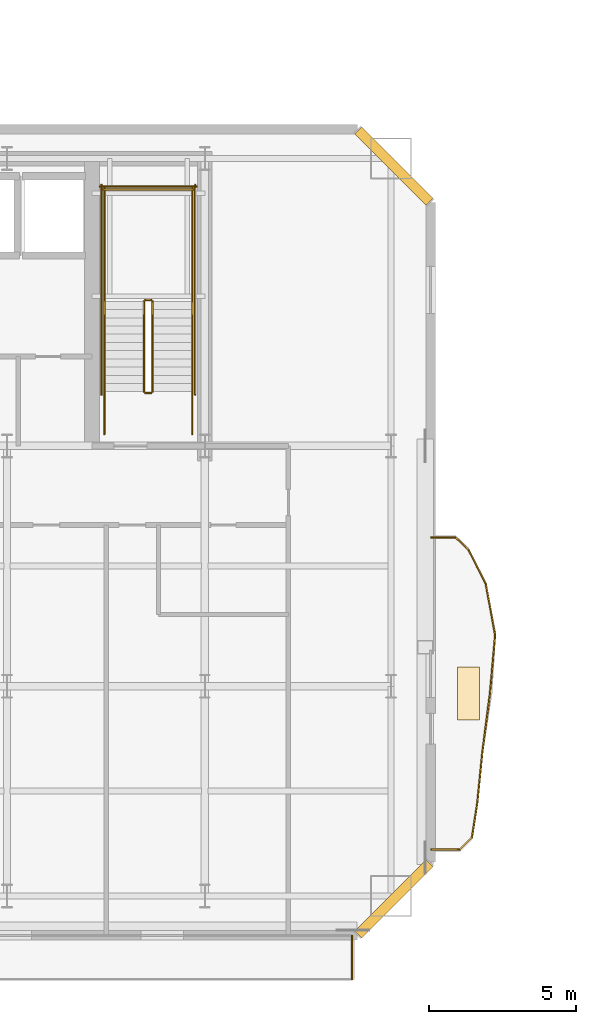
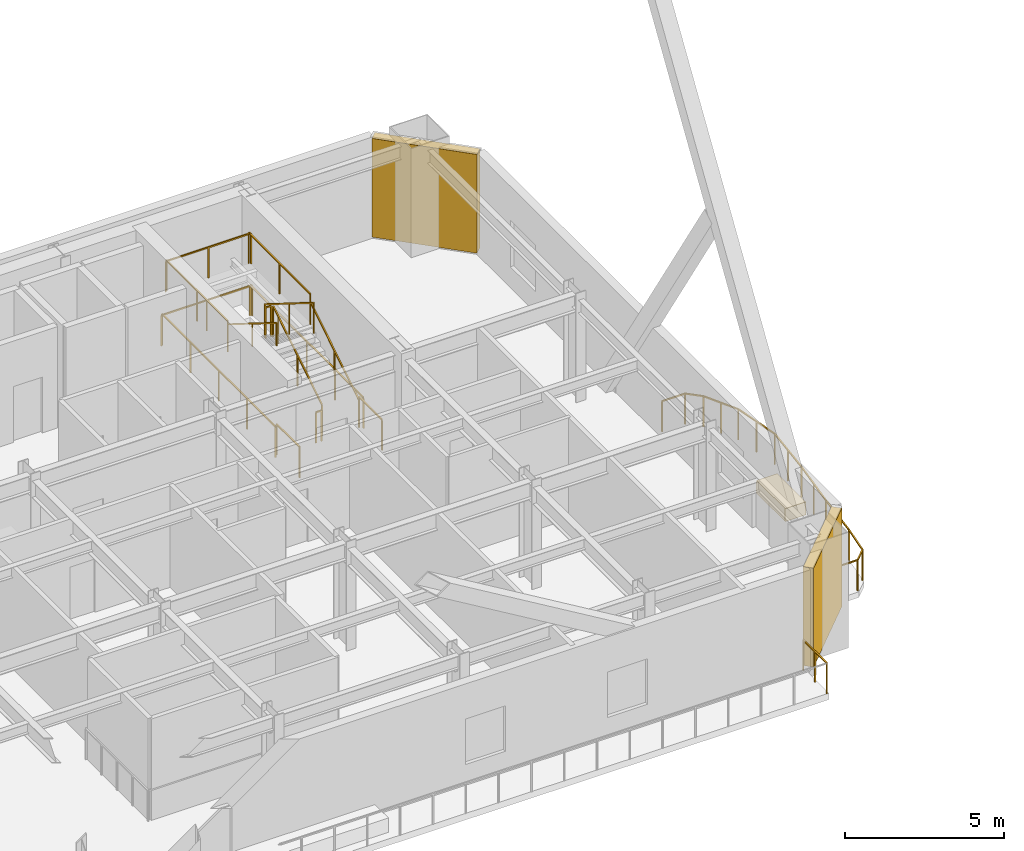
# One storey, part 19 of 22: 25 railings, 2 shading devices, 1 covering.
"""IFC4 building model written with IfcOpenShell, lengths in metres."""

from ifc_helpers import new_model, si_unit, direction, frame, origin, origin_2d, place, context, subcontext, project, spatial, rectangle, extrude, material, layer, layer_set, type_object, element, save


model = new_model("IFC4")

# Units and contexts
model_context = context("Model", 3, precision=1e-05, world=origin(), true_north=direction((0.0, 1.0)))
body_context = subcontext(model_context, "Body", "Model", "MODEL_VIEW")
ifc_project = project(units=[si_unit("LENGTHUNIT", "METRE"), si_unit("AREAUNIT", "SQUARE_METRE"), si_unit("VOLUMEUNIT", "CUBIC_METRE"), si_unit("PLANEANGLEUNIT", "RADIAN"), si_unit("MASSUNIT", "GRAM", prefix="KILO")], contexts=[model_context])

# Site, building, storey
site_placement = place(None, origin())
site = spatial("IfcSite", under=ifc_project, at=site_placement, CompositionType="ELEMENT")
building_placement = place(site_placement, origin())
building = spatial("IfcBuilding", under=site, at=building_placement, Name="Haevon Station Towers", CompositionType="ELEMENT")
storey_placement = place(building_placement, frame((0.0, 0.0, 133.800048828125)))
storey = spatial("IfcBuildingStorey", under=building, at=storey_placement, Name="L36", CompositionType="ELEMENT", Elevation=133.800048828125)

# Railings
ifc_material_1 = material(Name="Steel S355", Category="steel")
railing_type_1 = type_object("IfcRailingType", Name="GRD-EXT1200", PredefinedType="GUARDRAIL", material=ifc_material_1)
railing_1_placement = place(storey_placement, frame((56.02001953125, 20.003173828125, 0.0)))
element("IfcRailing", 1, at=railing_1_placement, inside=storey, type_object=railing_type_1, Name="L36 Perimeter Guardrail 2", PredefinedType="GUARDRAIL", context=body_context, shape_type="SweptSolid", body=[
    extrude(rectangle(XDim=0.048095703125, YDim=0.048095703125, at=origin_2d()), frame((0.0, 0.0, 1.17578125), z_axis=(0.0, 1.0, 0.0), x_axis=(-1.0, 0.0, 0.0)), (0.0, 0.0, 1.0), 1.488525390625),
    extrude(rectangle(XDim=0.0419921875, YDim=0.0419921875, at=origin_2d()), origin(), (0.0, 0.0, 1.0), 1.15185546875),
    extrude(rectangle(XDim=0.0419921875, YDim=0.0419921875, at=origin_2d()), frame((0.0, 0.744140625, 0.0)), (0.0, 0.0, 1.0), 1.15185546875),
    extrude(rectangle(XDim=0.0419921875, YDim=0.0419921875, at=origin_2d()), frame((0.0, 1.488525390625, 0.0)), (0.0, 0.0, 1.0), 1.15185546875),
])
railing_2_placement = place(storey_placement, frame((58.7236328125, 24.427734375, 0.0)))
element("IfcRailing", 2, at=railing_2_placement, inside=storey, type_object=railing_type_1, Name="L36 Perimeter Guardrail 1", PredefinedType="GUARDRAIL", context=body_context, shape_type="SweptSolid", body=[
    extrude(rectangle(XDim=0.048095703125, YDim=0.048095703125, at=origin_2d()), frame((0.0, 0.0, 1.17578125), z_axis=(0.999997457331, 0.002255068182, 0.0), x_axis=(-0.002255068182, 0.999997457331, 0.0)), (0.0, 0.0, 1.0), 0.974365234375),
    extrude(rectangle(XDim=0.0419921875, YDim=0.0419921875, at=origin_2d()), origin(), (0.0, 0.0, 1.0), 1.15185546875),
    extrude(rectangle(XDim=0.0419921875, YDim=0.0419921875, at=origin_2d()), frame((0.974365234375, 0.002197265625, 0.0)), (0.0, 0.0, 1.0), 1.15185546875),
])
railing_3_placement = place(storey_placement, frame((59.697998046875, 24.429931640625, 0.0)))
element("IfcRailing", 3, at=railing_3_placement, inside=storey, type_object=railing_type_1, Name="L36 Perimeter Guardrail 2", PredefinedType="GUARDRAIL", context=body_context, shape_type="SweptSolid", body=[
    extrude(rectangle(XDim=0.048095703125, YDim=0.048095703125, at=origin_2d()), frame((0.0, 0.0, 1.17578125), z_axis=(0.710855721551, 0.703337858456, 0.0), x_axis=(-0.703337858456, 0.710855721551, 0.0)), (0.0, 0.0, 1.0), 0.58447265625),
    extrude(rectangle(XDim=0.0419921875, YDim=0.0419921875, at=origin_2d()), origin(), (0.0, 0.0, 1.0), 1.15185546875),
    extrude(rectangle(XDim=0.0419921875, YDim=0.0419921875, at=origin_2d()), frame((0.41552734375, 0.4111328125, 0.0)), (0.0, 0.0, 1.0), 1.15185546875),
])
railing_4_placement = place(storey_placement, frame((60.113525390625, 24.841064453125, 0.0)))
element("IfcRailing", 4, at=railing_4_placement, inside=storey, type_object=railing_type_1, Name="L36 Perimeter Guardrail 3", PredefinedType="GUARDRAIL", context=body_context, shape_type="SweptSolid", body=[
    extrude(rectangle(XDim=0.048095703125, YDim=0.048095703125, at=origin_2d()), frame((0.0, 0.0, 1.17578125), z_axis=(0.151545873125, 0.988450225524, 0.0), x_axis=(-0.988450225524, 0.151545873125, 0.0)), (0.0, 0.0, 1.0), 1.18408203125),
    extrude(rectangle(XDim=0.0419921875, YDim=0.0419921875, at=origin_2d()), origin(), (0.0, 0.0, 1.0), 1.15185546875),
    extrude(rectangle(XDim=0.0419921875, YDim=0.0419921875, at=origin_2d()), frame((0.179443359375, 1.17041015625, 0.0)), (0.0, 0.0, 1.0), 1.15185546875),
])
railing_5_placement = place(storey_placement, frame((60.29296875, 26.011474609375, 0.0)))
element("IfcRailing", 5, at=railing_5_placement, inside=storey, type_object=railing_type_1, Name="L36 Perimeter Guardrail 4", PredefinedType="GUARDRAIL", context=body_context, shape_type="SweptSolid", body=[
    extrude(rectangle(XDim=0.048095703125, YDim=0.048095703125, at=origin_2d()), frame((0.0, 0.0, 1.17578125), z_axis=(0.100369612016, 0.994950220355, 0.0), x_axis=(-0.994950220355, 0.100369612016, 0.0)), (0.0, 0.0, 1.0), 1.758544921875),
    extrude(rectangle(XDim=0.0419921875, YDim=0.0419921875, at=origin_2d()), origin(), (0.0, 0.0, 1.0), 1.15185546875),
    extrude(rectangle(XDim=0.0419921875, YDim=0.0419921875, at=origin_2d()), frame((0.08837890625, 0.875, 0.0)), (0.0, 0.0, 1.0), 1.15185546875),
    extrude(rectangle(XDim=0.0419921875, YDim=0.0419921875, at=origin_2d()), frame((0.176513671875, 1.749755859375, 0.0)), (0.0, 0.0, 1.0), 1.15185546875),
])
railing_6_placement = place(storey_placement, frame((60.469482421875, 27.76123046875, 0.0)))
element("IfcRailing", 6, at=railing_6_placement, inside=storey, type_object=railing_type_1, Name="L36 Perimeter Guardrail 5", PredefinedType="GUARDRAIL", context=body_context, shape_type="SweptSolid", body=[
    extrude(rectangle(XDim=0.048095703125, YDim=0.048095703125, at=origin_2d()), frame((0.0, 0.0, 1.17578125), z_axis=(0.127480675673, 0.991841054469, 0.0), x_axis=(-0.991841054469, 0.127480675673, 0.0)), (0.0, 0.0, 1.0), 2.005126953125),
    extrude(rectangle(XDim=0.0419921875, YDim=0.0419921875, at=origin_2d()), origin(), (0.0, 0.0, 1.0), 1.15185546875),
    extrude(rectangle(XDim=0.0419921875, YDim=0.0419921875, at=origin_2d()), frame((0.1279296875, 0.994384765625, 0.0)), (0.0, 0.0, 1.0), 1.15185546875),
    extrude(rectangle(XDim=0.0419921875, YDim=0.0419921875, at=origin_2d()), frame((0.255615234375, 1.98876953125, 0.0)), (0.0, 0.0, 1.0), 1.15185546875),
])
railing_7_placement = place(storey_placement, frame((60.72509765625, 29.75, 0.0)))
element("IfcRailing", 7, at=railing_7_placement, inside=storey, type_object=railing_type_1, Name="L36 Perimeter Guardrail 6", PredefinedType="GUARDRAIL", context=body_context, shape_type="SweptSolid", body=[
    extrude(rectangle(XDim=0.048095703125, YDim=0.048095703125, at=origin_2d()), frame((0.0, 0.0, 1.17578125), z_axis=(0.088918972693, 0.996038862844, 0.0), x_axis=(-0.996038862844, 0.088918972693, 0.0)), (0.0, 0.0, 1.0), 2.00146484375),
    extrude(rectangle(XDim=0.0419921875, YDim=0.0419921875, at=origin_2d()), origin(), (0.0, 0.0, 1.0), 1.15185546875),
    extrude(rectangle(XDim=0.0419921875, YDim=0.0419921875, at=origin_2d()), frame((0.0888671875, 0.996826171875, 0.0)), (0.0, 0.0, 1.0), 1.15185546875),
    extrude(rectangle(XDim=0.0419921875, YDim=0.0419921875, at=origin_2d()), frame((0.177978515625, 1.99365234375, 0.0)), (0.0, 0.0, 1.0), 1.15185546875),
])
railing_8_placement = place(storey_placement, frame((60.903076171875, 31.74365234375, 0.0)))
element("IfcRailing", 8, at=railing_8_placement, inside=storey, type_object=railing_type_1, Name="L36 Perimeter Guardrail 7", PredefinedType="GUARDRAIL", context=body_context, shape_type="SweptSolid", body=[
    extrude(rectangle(XDim=0.048095703125, YDim=0.048095703125, at=origin_2d()), frame((0.0, 0.0, 1.17578125), z_axis=(-0.179418162839, 0.983772902068, 0.0), x_axis=(-0.983772902068, -0.179418162839, 0.0)), (0.0, 0.0, 1.0), 1.7744140625),
    extrude(rectangle(XDim=0.0419921875, YDim=0.0419921875, at=origin_2d()), origin(), (0.0, 0.0, 1.0), 1.15185546875),
    extrude(rectangle(XDim=0.0419921875, YDim=0.0419921875, at=origin_2d()), frame((-0.1591796875, 0.872802734375, 0.0)), (0.0, 0.0, 1.0), 1.15185546875),
    extrude(rectangle(XDim=0.0419921875, YDim=0.0419921875, at=origin_2d()), frame((-0.318359375, 1.74560546875, 0.0)), (0.0, 0.0, 1.0), 1.15185546875),
])
railing_9_placement = place(storey_placement, frame((60.584716796875, 33.4892578125, 0.0)))
element("IfcRailing", 9, at=railing_9_placement, inside=storey, type_object=railing_type_1, Name="L36 Perimeter Guardrail 8", PredefinedType="GUARDRAIL", context=body_context, shape_type="SweptSolid", body=[
    extrude(rectangle(XDim=0.048095703125, YDim=0.048095703125, at=origin_2d()), frame((0.0, 0.0, 1.17578125), z_axis=(-0.452787965093, 0.891618224728, 0.0), x_axis=(-0.891618224728, -0.452787965093, 0.0)), (0.0, 0.0, 1.0), 1.311767578125),
    extrude(rectangle(XDim=0.0419921875, YDim=0.0419921875, at=origin_2d()), origin(), (0.0, 0.0, 1.0), 1.15185546875),
    extrude(rectangle(XDim=0.0419921875, YDim=0.0419921875, at=origin_2d()), frame((-0.296875, 0.5849609375, 0.0)), (0.0, 0.0, 1.0), 1.15185546875),
    extrude(rectangle(XDim=0.0419921875, YDim=0.0419921875, at=origin_2d()), frame((-0.593994140625, 1.169677734375, 0.0)), (0.0, 0.0, 1.0), 1.15185546875),
])
railing_10_placement = place(storey_placement, frame((59.99072265625, 34.658935546875, 0.0)))
element("IfcRailing", 10, at=railing_10_placement, inside=storey, type_object=railing_type_1, Name="L36 Perimeter Guardrail 9", PredefinedType="GUARDRAIL", context=body_context, shape_type="SweptSolid", body=[
    extrude(rectangle(XDim=0.048095703125, YDim=0.048095703125, at=origin_2d()), frame((0.0, 0.0, 1.17578125), z_axis=(-0.721936917326, 0.691958876959, 0.0), x_axis=(-0.691958876959, -0.721936917326, 0.0)), (0.0, 0.0, 1.0), 0.594482421875),
    extrude(rectangle(XDim=0.0419921875, YDim=0.0419921875, at=origin_2d()), origin(), (0.0, 0.0, 1.0), 1.15185546875),
    extrude(rectangle(XDim=0.0419921875, YDim=0.0419921875, at=origin_2d()), frame((-0.42919921875, 0.411376953125, 0.0)), (0.0, 0.0, 1.0), 1.15185546875),
])
railing_11_placement = place(storey_placement, frame((59.5615234375, 35.0703125, 0.0)))
element("IfcRailing", 11, at=railing_11_placement, inside=storey, type_object=railing_type_1, Name="L36 Perimeter Guardrail 10", PredefinedType="GUARDRAIL", context=body_context, shape_type="SweptSolid", body=[
    extrude(rectangle(XDim=0.048095703125, YDim=0.048095703125, at=origin_2d()), frame((0.0, 0.0, 1.17578125), z_axis=(-0.999997283225, 0.002330995998, 0.0), x_axis=(-0.002330995998, -0.999997283225, 0.0)), (0.0, 0.0, 1.0), 0.837890625),
    extrude(rectangle(XDim=0.0419921875, YDim=0.0419921875, at=origin_2d()), origin(), (0.0, 0.0, 1.0), 1.15185546875),
    extrude(rectangle(XDim=0.0419921875, YDim=0.0419921875, at=origin_2d()), frame((-0.837890625, 0.001953125, 0.0)), (0.0, 0.0, 1.0), 1.15185546875),
])
railing_type_2 = type_object("IfcRailingType", Name="GRD-STR1200", PredefinedType="GUARDRAIL", material=ifc_material_1)
railing_12_placement = place(storey_placement, frame((49.219970703125, 40.050048828125, 0.175048828125)))
element("IfcRailing", 12, at=railing_12_placement, inside=storey, type_object=railing_type_2, Name="L36 ST2 Stair Guard 1", PredefinedType="GUARDRAIL", context=body_context, shape_type="SweptSolid", body=[
    extrude(rectangle(XDim=0.048095703125, YDim=0.048095703125, at=origin_2d()), frame((0.0, 0.0, 1.17578125), z_axis=(0.0, 0.848009633417, 0.529980812513), x_axis=(-1.0, 0.0, 0.0)), (0.0, 0.0, 1.0), 3.6318359375),
    extrude(rectangle(XDim=0.0419921875, YDim=0.0419921875, at=origin_2d()), origin(), (0.0, 0.0, 1.0), 1.15185546875),
    extrude(rectangle(XDim=0.0419921875, YDim=0.0419921875, at=origin_2d()), frame((0.0, 1.5400390625, 0.96240234375)), (0.0, 0.0, 1.0), 1.15185546875),
    extrude(rectangle(XDim=0.0419921875, YDim=0.0419921875, at=origin_2d()), frame((0.0, 3.079833984375, 1.9248046875)), (0.0, 0.0, 1.0), 1.15185546875),
])
railing_13_placement = place(storey_placement, frame((49.169921875, 43.179931640625, 2.099853515625)))
element("IfcRailing", 13, at=railing_13_placement, inside=storey, type_object=railing_type_2, Name="L36 ST2 Stair Guard 2", PredefinedType="GUARDRAIL", context=body_context, shape_type="SweptSolid", body=[
    extrude(rectangle(XDim=0.048095703125, YDim=0.048095703125, at=origin_2d()), frame((0.0, 0.0, 1.17578125), z_axis=(-1.0, 0.0, 0.0), x_axis=(0.0, -1.0, 0.0)), (0.0, 0.0, 1.0), 0.199951171875),
    extrude(rectangle(XDim=0.0419921875, YDim=0.0419921875, at=origin_2d()), origin(), (0.0, 0.0, 1.0), 1.15185546875),
    extrude(rectangle(XDim=0.0419921875, YDim=0.0419921875, at=origin_2d()), frame((-0.199951171875, 0.0, 0.0)), (0.0, 0.0, 1.0), 1.15185546875),
])
for number, where, name in (
    (14, (50.570068359375, 43.1298828125, 2.099853515625), "L36 ST2 Stair Guard 3"),
    (15, (47.570068359375, 43.1298828125, 2.099853515625), "L36 ST2 Stair Guard 4"),
):
    element("IfcRailing", number, at=place(storey_placement, frame(where)), inside=storey, type_object=railing_type_2, Name=name, PredefinedType="GUARDRAIL", context=body_context, shape_type="SweptSolid", body=[
        extrude(rectangle(XDim=0.048095703125, YDim=0.048095703125, at=origin_2d()), frame((0.0, 0.0, 1.17578125), z_axis=(0.0, 1.0, 0.0), x_axis=(-1.0, 0.0, 0.0)), (0.0, 0.0, 1.0), 3.8701171875),
        extrude(rectangle(XDim=0.0419921875, YDim=0.0419921875, at=origin_2d()), origin(), (0.0, 0.0, 1.0), 1.15185546875),
        extrude(rectangle(XDim=0.0419921875, YDim=0.0419921875, at=origin_2d()), frame((0.0, 1.93505859375, 0.0)), (0.0, 0.0, 1.0), 1.15185546875),
        extrude(rectangle(XDim=0.0419921875, YDim=0.0419921875, at=origin_2d()), frame((0.0, 3.8701171875, 0.0)), (0.0, 0.0, 1.0), 1.15185546875),
    ])
railing_14_placement = place(storey_placement, frame((50.6201171875, 46.949951171875, 2.099853515625)))
element("IfcRailing", 16, at=railing_14_placement, inside=storey, type_object=railing_type_2, Name="L36 ST2 Stair Guard 5", PredefinedType="GUARDRAIL", context=body_context, shape_type="SweptSolid", body=[
    extrude(rectangle(XDim=0.048095703125, YDim=0.048095703125, at=origin_2d()), frame((0.0, 0.0, 1.17578125), z_axis=(-1.0, 0.0, 0.0), x_axis=(0.0, -1.0, 0.0)), (0.0, 0.0, 1.0), 3.10009765625),
    extrude(rectangle(XDim=0.0419921875, YDim=0.0419921875, at=origin_2d()), origin(), (0.0, 0.0, 1.0), 1.15185546875),
    extrude(rectangle(XDim=0.0419921875, YDim=0.0419921875, at=origin_2d()), frame((-1.550048828125, 0.0, 0.0)), (0.0, 0.0, 1.0), 1.15185546875),
    extrude(rectangle(XDim=0.0419921875, YDim=0.0419921875, at=origin_2d()), frame((-3.10009765625, 0.0, 0.0)), (0.0, 0.0, 1.0), 1.15185546875),
])
railing_15_placement = place(storey_placement, frame((48.919921875, 43.1298828125, 2.27490234375)))
element("IfcRailing", 17, at=railing_15_placement, inside=storey, type_object=railing_type_2, Name="L36 ST2 Stair Guard 6", PredefinedType="GUARDRAIL", context=body_context, shape_type="SweptSolid", body=[
    extrude(rectangle(XDim=0.048095703125, YDim=0.048095703125, at=origin_2d()), frame((0.0, 0.0, 1.17578125), z_axis=(0.0, -0.847979421464, 0.530029150871), x_axis=(1.0, 0.0, 0.0)), (0.0, 0.0, 1.0), 3.632080078125),
    extrude(rectangle(XDim=0.0419921875, YDim=0.0419921875, at=origin_2d()), origin(), (0.0, 0.0, 1.0), 1.15185546875),
    extrude(rectangle(XDim=0.0419921875, YDim=0.0419921875, at=origin_2d()), frame((0.0, -1.5400390625, 0.96240234375)), (0.0, 0.0, 1.0), 1.15185546875),
    extrude(rectangle(XDim=0.0419921875, YDim=0.0419921875, at=origin_2d()), frame((0.0, -3.079833984375, 1.925048828125)), (0.0, 0.0, 1.0), 1.15185546875),
])
railing_16_placement = place(storey_placement, frame((49.169921875, 40.0, 0.0)))
element("IfcRailing", 18, at=railing_16_placement, inside=storey, type_object=railing_type_2, Name="L36 ST2 Stair Guard 7", PredefinedType="GUARDRAIL", context=body_context, shape_type="SweptSolid", body=[
    extrude(rectangle(XDim=0.048095703125, YDim=0.048095703125, at=origin_2d()), frame((0.0, 0.0, 1.17578125), z_axis=(-1.0, 0.0, 0.0), x_axis=(0.0, -1.0, 0.0)), (0.0, 0.0, 1.0), 0.199951171875),
    extrude(rectangle(XDim=0.0419921875, YDim=0.0419921875, at=origin_2d()), origin(), (0.0, 0.0, 1.0), 1.15185546875),
    extrude(rectangle(XDim=0.0419921875, YDim=0.0419921875, at=origin_2d()), frame((-0.199951171875, 0.0, 0.0)), (0.0, 0.0, 1.0), 1.15185546875),
])
for number, where, name in (
    (19, (50.570068359375, 38.60009765625, 0.0), "L36 ST2 Stair Guard 8"),
    (20, (47.570068359375, 38.60009765625, 0.0), "L36 ST2 Stair Guard 9"),
):
    element("IfcRailing", number, at=place(storey_placement, frame(where)), inside=storey, type_object=railing_type_2, Name=name, PredefinedType="GUARDRAIL", context=body_context, shape_type="SweptSolid", body=[
        extrude(rectangle(XDim=0.048095703125, YDim=0.048095703125, at=origin_2d()), frame((0.0, 0.0, 1.17578125), z_axis=(0.0, 1.0, 0.0), x_axis=(-1.0, 0.0, 0.0)), (0.0, 0.0, 1.0), 1.449951171875),
        extrude(rectangle(XDim=0.0419921875, YDim=0.0419921875, at=origin_2d()), origin(), (0.0, 0.0, 1.0), 1.15185546875),
        extrude(rectangle(XDim=0.0419921875, YDim=0.0419921875, at=origin_2d()), frame((0.0, 1.449951171875, 0.0)), (0.0, 0.0, 1.0), 1.15185546875),
    ])
for number, where, name in (
    (21, (50.669921875, 39.949951171875, 0.0), "L36 ST2 Stair Guard 10"),
    (22, (47.469970703125, 39.949951171875, 0.0), "L36 ST2 Stair Guard 11"),
):
    element("IfcRailing", number, at=place(storey_placement, frame(where)), inside=storey, type_object=railing_type_2, Name=name, PredefinedType="GUARDRAIL", context=body_context, shape_type="SweptSolid", body=[
        extrude(rectangle(XDim=0.048095703125, YDim=0.048095703125, at=origin_2d()), frame((0.0, 0.0, 1.17578125), z_axis=(0.0, 1.0, 0.0), x_axis=(-1.0, 0.0, 0.0)), (0.0, 0.0, 1.0), 7.150146484375),
        extrude(rectangle(XDim=0.0419921875, YDim=0.0419921875, at=origin_2d()), origin(), (0.0, 0.0, 1.0), 1.15185546875),
        extrude(rectangle(XDim=0.0419921875, YDim=0.0419921875, at=origin_2d()), frame((0.0, 1.78759765625, 0.0)), (0.0, 0.0, 1.0), 1.15185546875),
        extrude(rectangle(XDim=0.0419921875, YDim=0.0419921875, at=origin_2d()), frame((0.0, 3.5751953125, 0.0)), (0.0, 0.0, 1.0), 1.15185546875),
        extrude(rectangle(XDim=0.0419921875, YDim=0.0419921875, at=origin_2d()), frame((0.0, 5.362548828125, 0.0)), (0.0, 0.0, 1.0), 1.15185546875),
        extrude(rectangle(XDim=0.0419921875, YDim=0.0419921875, at=origin_2d()), frame((0.0, 7.150146484375, 0.0)), (0.0, 0.0, 1.0), 1.15185546875),
    ])
railing_17_placement = place(storey_placement, frame((50.719970703125, 47.050048828125, 0.0)))
element("IfcRailing", 23, at=railing_17_placement, inside=storey, type_object=railing_type_2, Name="L36 ST2 Stair Guard 12", PredefinedType="GUARDRAIL", context=body_context, shape_type="SweptSolid", body=[
    extrude(rectangle(XDim=0.048095703125, YDim=0.048095703125, at=origin_2d()), frame((0.0, 0.0, 1.17578125), z_axis=(-1.0, 0.0, 0.0), x_axis=(0.0, -1.0, 0.0)), (0.0, 0.0, 1.0), 3.300048828125),
    extrude(rectangle(XDim=0.0419921875, YDim=0.0419921875, at=origin_2d()), origin(), (0.0, 0.0, 1.0), 1.15185546875),
    extrude(rectangle(XDim=0.0419921875, YDim=0.0419921875, at=origin_2d()), frame((-1.64990234375, 0.0, 0.0)), (0.0, 0.0, 1.0), 1.15185546875),
    extrude(rectangle(XDim=0.0419921875, YDim=0.0419921875, at=origin_2d()), frame((-3.300048828125, 0.0, 0.0)), (0.0, 0.0, 1.0), 1.15185546875),
])
railing_type_3 = type_object("IfcRailingType", Name="HND-STR900", PredefinedType="HANDRAIL", material=ifc_material_1)
railing_18_placement = place(storey_placement, frame((50.570068359375, 40.050048828125, 0.175048828125)))
element("IfcRailing", 24, at=railing_18_placement, inside=storey, type_object=railing_type_3, Name="L36 ST2 Stair Handrail 1", PredefinedType="HANDRAIL", context=body_context, shape_type="SweptSolid", body=[
    extrude(rectangle(XDim=0.048095703125, YDim=0.048095703125, at=origin_2d()), frame((0.0, 0.0, 0.8759765625), z_axis=(0.0, 0.848009633417, 0.529980812513), x_axis=(-1.0, 0.0, 0.0)), (0.0, 0.0, 1.0), 3.6318359375),
    extrude(rectangle(XDim=0.0419921875, YDim=0.0419921875, at=origin_2d()), origin(), (0.0, 0.0, 1.0), 0.851806640625),
    extrude(rectangle(XDim=0.0419921875, YDim=0.0419921875, at=origin_2d()), frame((0.0, 1.5400390625, 0.96240234375)), (0.0, 0.0, 1.0), 0.851806640625),
    extrude(rectangle(XDim=0.0419921875, YDim=0.0419921875, at=origin_2d()), frame((0.0, 3.079833984375, 1.9248046875)), (0.0, 0.0, 1.0), 0.851806640625),
])
railing_19_placement = place(storey_placement, frame((47.570068359375, 43.1298828125, 2.27490234375)))
element("IfcRailing", 25, at=railing_19_placement, inside=storey, type_object=railing_type_3, Name="L36 ST2 Stair Handrail 2", PredefinedType="HANDRAIL", context=body_context, shape_type="SweptSolid", body=[
    extrude(rectangle(XDim=0.048095703125, YDim=0.048095703125, at=origin_2d()), frame((0.0, 0.0, 0.8759765625), z_axis=(0.0, -0.847979421464, 0.530029150871), x_axis=(1.0, 0.0, 0.0)), (0.0, 0.0, 1.0), 3.632080078125),
    extrude(rectangle(XDim=0.0419921875, YDim=0.0419921875, at=origin_2d()), origin(), (0.0, 0.0, 1.0), 0.851806640625),
    extrude(rectangle(XDim=0.0419921875, YDim=0.0419921875, at=origin_2d()), frame((0.0, -1.5400390625, 0.96240234375)), (0.0, 0.0, 1.0), 0.851806640625),
    extrude(rectangle(XDim=0.0419921875, YDim=0.0419921875, at=origin_2d()), frame((0.0, -3.079833984375, 1.925048828125)), (0.0, 0.0, 1.0), 0.851806640625),
])

# Covering
ifc_material_2 = material(Name="Architectural planter GRC", Category="concrete")
ifc_layer_1 = layer(ifc_material_2, 0.550048828125)
ifc_layer_set_1 = layer_set([ifc_layer_1], Name="Architectural planter GRC")
covering_type = type_object("IfcCoveringType", Name="PLN-GRC550", PredefinedType="MOLDING", material=ifc_layer_set_1)
covering_placement = place(storey_placement, frame((59.989990234375, 29.75, 0.0), z_axis=(0.0, 0.0, 1.0), x_axis=(1.0, 0.0, 0.0)))
element("IfcCovering", 26, at=covering_placement, inside=storey, type_object=covering_type, Name="Tower 1 L36 Scalloped Balcony PLANTER", PredefinedType="MOLDING", context=body_context, shape_type="SweptSolid", body=[
    extrude(rectangle(XDim=0.75, YDim=1.800048828125, at=origin_2d()), origin(), (0.0, 0.0, 1.0), 0.5),
])

# Shading devices
ifc_material_3 = material(Name="Anodised aluminium 6063-T6", Category="aluminium")
ifc_layer_2 = layer(ifc_material_3, 0.139892578125)
ifc_layer_set_2 = layer_set([ifc_layer_2], Name="Anodised aluminium 6063-T6")
shading_device_type = type_object("IfcShadingDeviceType", Name="SHD-WIND-BAFFLE", PredefinedType="SHUTTER", material=ifc_layer_set_2)
for number, where, z_axis, x_axis, name in (
    (27, (57.449951171875, 47.75, 0.0498046875), (0.0, 0.0, 1.0), (0.707106781187, -0.707106781187, 0.0), "Tower 1 L36 Wind-Corner Aerofoil Baffle NEC"),
    (28, (57.449951171875, 22.75, 0.0498046875), (0.0, 0.0, 1.0), (-0.707106781187, -0.707106781187, 0.0), "Tower 1 L36 Wind-Corner Aerofoil Baffle SEC"),
):
    element("IfcShadingDevice", number, at=place(storey_placement, frame(where, z_axis=z_axis, x_axis=x_axis)), inside=storey, type_object=shading_device_type, Name=name, PredefinedType="SHUTTER", context=body_context, shape_type="SweptSolid", body=[
        extrude(rectangle(XDim=3.435546875, YDim=0.340087890625, at=origin_2d()), origin(), (0.0, 0.0, 1.0), 3.800048828125),
    ])

save(model, "model.ifc")
